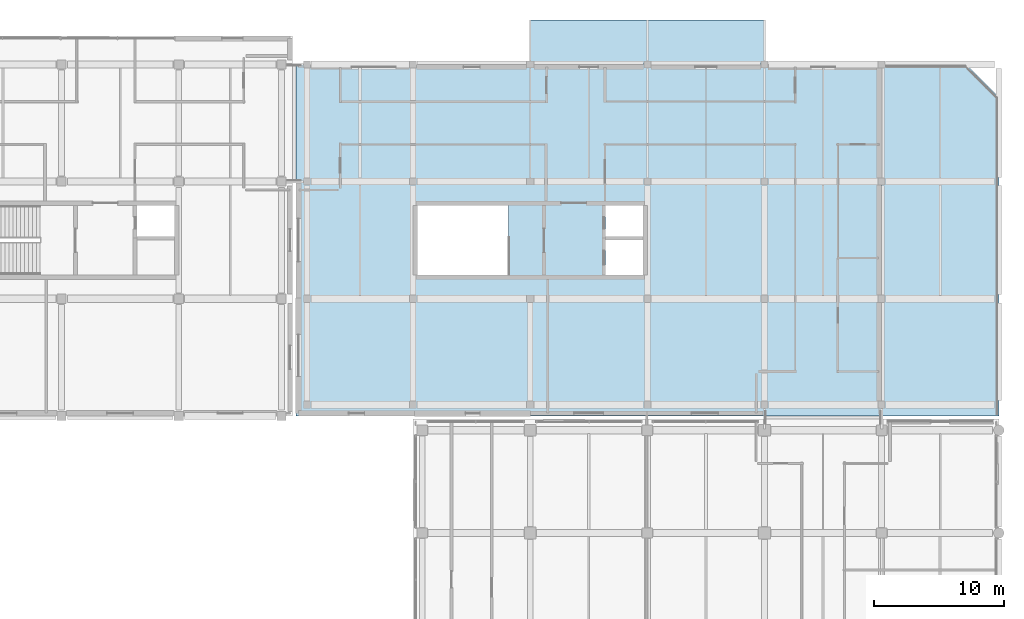
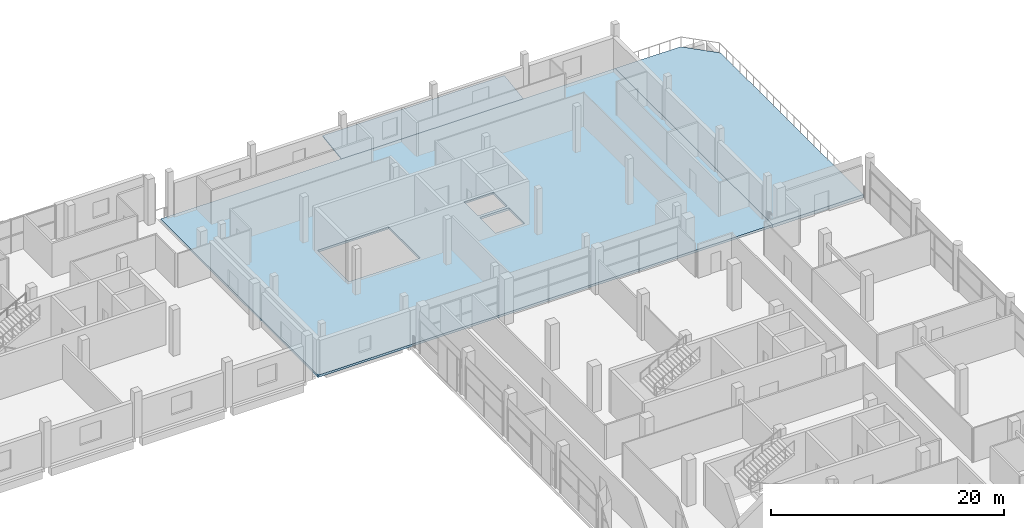
# One storey, part 62 of 111: 3 slabs.
"""IFC4 building model written with IfcOpenShell, lengths in metres."""

from ifc_helpers import new_model, si_unit, direction, frame, origin, place, context, subcontext, project, spatial, polyline, outline, extrude, material, layer, layer_set, type_object, element, save


model = new_model("IFC4")

# Units and contexts
model_context = context("Model", 3, precision=1e-05, world=origin(), true_north=direction((0.0, 1.0)))
body_context = subcontext(model_context, "Body", "Model", "MODEL_VIEW")
ifc_project = project(units=[si_unit("LENGTHUNIT", "METRE"), si_unit("AREAUNIT", "SQUARE_METRE"), si_unit("VOLUMEUNIT", "CUBIC_METRE"), si_unit("PLANEANGLEUNIT", "RADIAN"), si_unit("MASSUNIT", "GRAM", prefix="KILO"), si_unit("THERMODYNAMICTEMPERATUREUNIT", "KELVIN"), si_unit("POWERUNIT", "WATT")], contexts=[model_context])

# Site, building, storey
site_placement = place(None, origin())
site = spatial("IfcSite", under=ifc_project, at=site_placement, CompositionType="ELEMENT")
building_placement = place(site_placement, origin())
building = spatial("IfcBuilding", under=site, at=building_placement, Name="Sindhuravela Promenade Stadium", CompositionType="ELEMENT")
storey_placement = place(building_placement, frame((0.0, 0.0, 9.60009765625)))
storey = spatial("IfcBuildingStorey", under=building, at=storey_placement, Name="L02", CompositionType="ELEMENT", Elevation=9.60009765625)

# Slabs
ifc_material = material(Name="Concrete M40", Category="concrete")
ifc_layer_1 = layer(ifc_material, 0.110107421875)
ifc_layer_set_1 = layer_set([ifc_layer_1], Name="Concrete M40")
slab_type_1 = type_object("IfcSlabType", Name="SL-ENT-110", PredefinedType="ROOF", material=ifc_layer_set_1)
slab_1_placement = place(storey_placement, frame((180.0, 153.0400390625, -0.1201171875), z_axis=(0.0, -0.13852926932385745, 0.9903583399661954), x_axis=(1.0, 0.0, 0.0)))
element("IfcSlab", 1, at=slab_1_placement, inside=storey, type_object=slab_type_1, Name="Gate pavilion NE cantilevered entrance canopy", PredefinedType="ROOF", context=body_context, shape_type="SweptSolid", body=[
    extrude(outline(polyline([(0.0, 0.0), (18.0, 0.0), (18.0, 3.39257331983965), (0.0, 3.39257331983965), (0.0, 0.0)])), origin(), (0.0, 0.0, -1.0), 0.110107421875),
])
ifc_layer_2 = layer(ifc_material, 0.235107421875)
ifc_layer_set_2 = layer_set([ifc_layer_2], Name="Concrete M40")
slab_type_2 = type_object("IfcSlabType", Name="SL-FLR-220", PredefinedType="FLOOR", material=ifc_layer_set_2)
slab_2_placement = place(storey_placement, frame((0.0, 0.0, -0.235107421875)))
element("IfcSlab", 2, at=slab_2_placement, inside=storey, type_object=slab_type_2, Name="Floor slab Pavilion NE L02", PredefinedType="FLOOR", context=body_context, shape_type="SweptSolid", body=[
    extrude(outline(polyline([(162.0, 126.0), (207.0, 126.0), (207.0, 153.0), (162.0, 153.0), (162.0, 126.0)]), holes=[polyline([(171.300048828125, 136.800048828125), (178.34912109375, 136.800048828125), (178.34912109375, 142.199951171875), (171.300048828125, 142.199951171875), (171.300048828125, 136.800048828125)]), polyline([(185.800048828125, 139.800048828125), (188.699951171875, 139.800048828125), (188.699951171875, 142.199951171875), (185.800048828125, 142.199951171875), (185.800048828125, 139.800048828125)]), polyline([(185.800048828125, 136.800048828125), (188.699951171875, 136.800048828125), (188.699951171875, 139.5), (185.800048828125, 139.5), (185.800048828125, 136.800048828125)])]), origin(), (0.0, 0.0, 1.0), 0.235107421875),
])
ifc_layer_3 = layer(ifc_material, 0.31005859375)
ifc_layer_set_3 = layer_set([ifc_layer_3], Name="Concrete M40")
slab_type_3 = type_object("IfcSlabType", Name="SL-TER-310", PredefinedType="FLOOR", material=ifc_layer_set_3)
slab_3_placement = place(storey_placement, frame((0.0, 0.0, -0.31005859375)))
element("IfcSlab", 3, at=slab_3_placement, inside=storey, type_object=slab_type_3, Name="NE Pavilion East Terrace", PredefinedType="FLOOR", context=body_context, shape_type="SweptSolid", body=[
    extrude(outline(polyline([(207.0, 126.0), (216.0, 126.0), (216.0, 150.47998046875), (213.47998046875, 153.0), (207.0, 153.0), (207.0, 126.0)])), origin(), (0.0, 0.0, 1.0), 0.31005859375),
])

save(model, "model.ifc")
